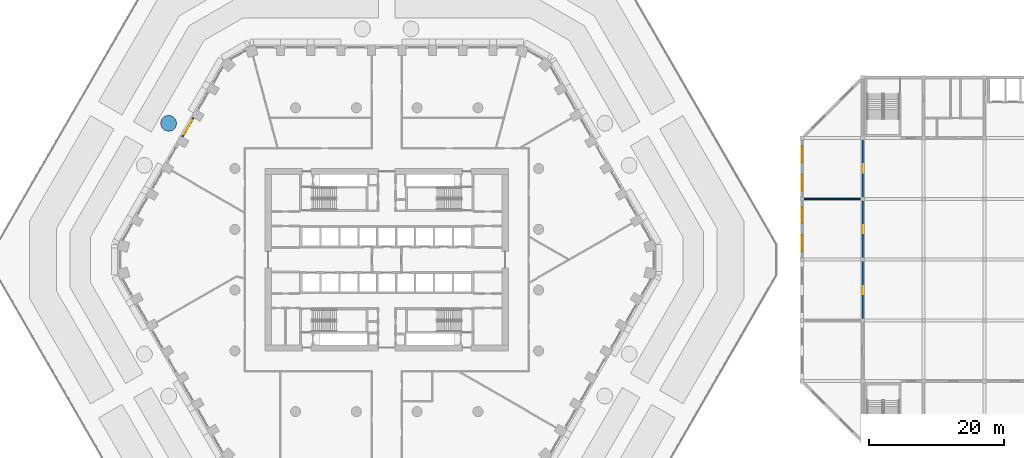
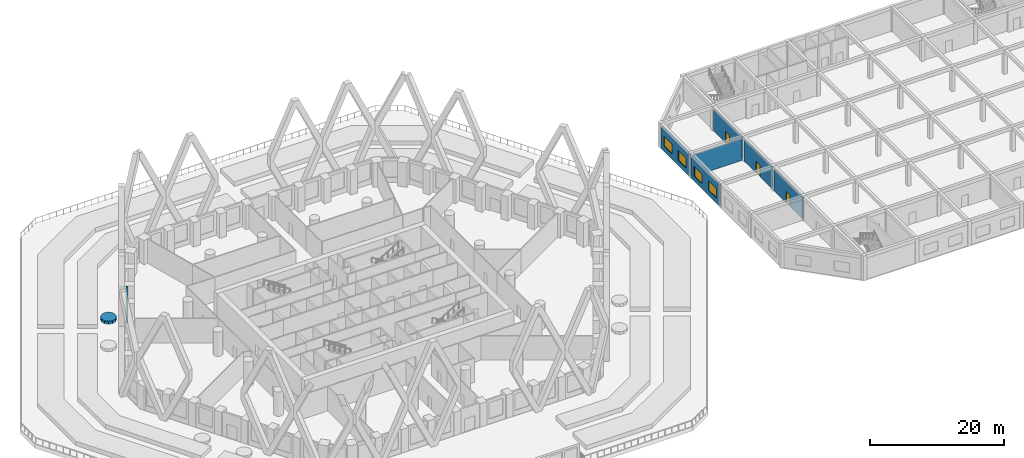
# One storey, part 11 of 27: 8 walls, 5 windows, 3 doors, 8 openings.
"""IFC4 building model written with IfcOpenShell, lengths in metres."""

from ifc_helpers import new_model, si_unit, direction, frame, frame_2d, origin, place, context, subcontext, project, spatial, polyline, rectangle, outline, extrude, material, layer, layer_set, type_object, element, fill, save


model = new_model("IFC4")

# Units and contexts
model_context = context("Model", 3, precision=1e-05, world=origin(), true_north=direction((0.0, 1.0)))
body_context = subcontext(model_context, "Body", "Model", "MODEL_VIEW")
ifc_project = project(units=[si_unit("LENGTHUNIT", "METRE"), si_unit("AREAUNIT", "SQUARE_METRE"), si_unit("VOLUMEUNIT", "CUBIC_METRE"), si_unit("PLANEANGLEUNIT", "RADIAN"), si_unit("MASSUNIT", "GRAM", prefix="KILO")], contexts=[model_context])

# Site, building, storey
site_placement = place(None, origin())
site = spatial("IfcSite", under=ifc_project, at=site_placement, CompositionType="ELEMENT")
building_placement = place(site_placement, origin())
building = spatial("IfcBuilding", under=site, at=building_placement, Name="Dhurran Vertical Campus", CompositionType="ELEMENT")
storey_placement = place(building_placement, frame((0.0, 0.0, 10.800048828125)))
storey = spatial("IfcBuildingStorey", under=building, at=storey_placement, Name="L02", CompositionType="ELEMENT", Elevation=10.800048828125)

# Wall, opening, window
ifc_material_1 = material(Name="Precast concrete C50/60", Category="concrete")
ifc_layer_1 = layer(ifc_material_1, 0.300048828125)
ifc_layer_set_1 = layer_set([ifc_layer_1], Name="Precast concrete C50/60")
wall_type_1 = type_object("IfcWallType", Name="Precast spandrel wall 300", PredefinedType="SOLIDWALL", material=ifc_layer_set_1)
wall_1_placement = place(storey_placement, frame((-28.644287109375, 21.04052734375, 0.0), z_axis=(0.0, 0.0, 1.0), x_axis=(-0.499991515992, -0.866030301974, 0.0)))
wall_1 = element("IfcWall", 1, at=wall_1_placement, inside=storey, type_object=wall_type_1, Name="EW1 L02.38", PredefinedType="SOLIDWALL", context=body_context, shape_type="SweptSolid", body=[
    extrude(rectangle(XDim=3.298828125, YDim=0.300048828125, at=frame_2d((1.6494140625, 0.0))), origin(), (0.0, 0.0, 1.0), 4.39990234375),
])
opening_1_placement = place(wall_1_placement, frame((0.449462890625, 0.0, 0.89990234375)))
opening_1 = element("IfcOpeningElement", 2, at=opening_1_placement, cuts=wall_1, Name="Opening WT2", PredefinedType="OPENING", context=body_context, shape_type="SweptSolid", body=[
    extrude(rectangle(XDim=2.39990234375, YDim=3.0, at=frame_2d((1.199951171875, 1.5))), frame((0.0, 0.159912109375, 0.0), z_axis=(0.0, -1.0, 0.0), x_axis=(1.0, 0.0, 0.0)), (0.0, 0.0, 1.0), 0.320068359375),
])
ifc_material_2 = material(Name="Aluminium frame with solar-control glass", Category="aluminium")
window_type_1 = type_object("IfcWindowType", Name="Podium window 2400 x 3000", PartitioningType="SINGLE_PANEL", PredefinedType="WINDOW", material=ifc_material_2)
window_1_placement = place(opening_1_placement, origin())
window_1 = element("IfcWindow", 3, at=window_1_placement, inside=storey, type_object=window_type_1, Name="WT2 L02.38", OverallHeight=3.0, OverallWidth=2.39990234375, PartitioningType="SINGLE_PANEL", PredefinedType="WINDOW", context=body_context, shape_type="SweptSolid", body=[
    extrude(rectangle(XDim=2.39990234375, YDim=3.0, at=frame_2d((1.199951171875, 1.5))), frame((0.0, 0.030029296875, 0.0), z_axis=(0.0, -1.0, 0.0), x_axis=(1.0, 0.0, 0.0)), (0.0, 0.0, 1.0), 0.06005859375),
])
fill(opening_1, window_1)

# Wall, openings, windows
ifc_material_3 = material(Name="Precast concrete C40/50", Category="concrete")
ifc_layer_2 = layer(ifc_material_3, 0.300048828125)
ifc_layer_set_2 = layer_set([ifc_layer_2], Name="Precast concrete C40/50")
wall_type_2 = type_object("IfcWallType", Name="hl-external wall precast 300", PredefinedType="SOLIDWALL", material=ifc_layer_set_2)
wall_2_placement = place(storey_placement, frame((61.5, 17.699951171875, 0.0), z_axis=(0.0, 0.0, 1.0), x_axis=(0.0, -1.0, 0.0)))
wall_2 = element("IfcWall", 4, at=wall_2_placement, inside=storey, type_object=wall_type_2, Name="Hall external wall L02-042", PredefinedType="SOLIDWALL", context=body_context, shape_type="SweptSolid", body=[
    extrude(rectangle(XDim=8.39990234375, YDim=0.300048828125, at=frame_2d((4.199951171875, 0.0))), origin(), (0.0, 0.0, 1.0), 3.89990234375),
])
opening_2_placement = place(wall_2_placement, frame((0.89990234375, 0.0, 0.89990234375)))
opening_2 = element("IfcOpeningElement", 5, at=opening_2_placement, cuts=wall_2, Name="Opening HWN1", PredefinedType="OPENING", context=body_context, shape_type="SweptSolid", body=[
    extrude(rectangle(XDim=2.39990234375, YDim=1.800048828125, at=frame_2d((1.199951171875, 0.89990234375))), frame((0.0, 0.159912109375, 0.0), z_axis=(0.0, -1.0, 0.0), x_axis=(1.0, 0.0, 0.0)), (0.0, 0.0, 1.0), 0.320068359375),
])
opening_3_placement = place(wall_2_placement, frame((5.10009765625, 0.0, 0.89990234375)))
opening_3 = element("IfcOpeningElement", 6, at=opening_3_placement, cuts=wall_2, Name="Opening HWN1", PredefinedType="OPENING", context=body_context, shape_type="SweptSolid", body=[
    extrude(rectangle(XDim=2.39990234375, YDim=1.800048828125, at=frame_2d((1.199951171875, 0.89990234375))), frame((0.0, 0.159912109375, 0.0), z_axis=(0.0, -1.0, 0.0), x_axis=(1.0, 0.0, 0.0)), (0.0, 0.0, 1.0), 0.320068359375),
])
ifc_material_4 = material(Name="Aluminium", Category="aluminium")
window_type_2 = type_object("IfcWindowType", Name="hl-window 2400x1800", PartitioningType="SINGLE_PANEL", PredefinedType="WINDOW", material=ifc_material_4)
window_2_placement = place(opening_2_placement, origin())
window_2 = element("IfcWindow", 7, at=window_2_placement, inside=storey, type_object=window_type_2, Name="Hall window L02-057", OverallHeight=1.800048828125, OverallWidth=2.39990234375, PartitioningType="SINGLE_PANEL", PredefinedType="WINDOW", context=body_context, shape_type="SweptSolid", body=[
    extrude(rectangle(XDim=2.39990234375, YDim=1.800048828125, at=frame_2d((1.199951171875, 0.89990234375))), frame((0.0, 0.030029296875, 0.0), z_axis=(0.0, -1.0, 0.0), x_axis=(1.0, 0.0, 0.0)), (0.0, 0.0, 1.0), 0.06005859375),
])
fill(opening_2, window_2)
window_3_placement = place(opening_3_placement, origin())
window_3 = element("IfcWindow", 8, at=window_3_placement, inside=storey, type_object=window_type_2, Name="Hall window L02-058", OverallHeight=1.800048828125, OverallWidth=2.39990234375, PartitioningType="SINGLE_PANEL", PredefinedType="WINDOW", context=body_context, shape_type="SweptSolid", body=[
    extrude(rectangle(XDim=2.39990234375, YDim=1.800048828125, at=frame_2d((1.199951171875, 0.89990234375))), frame((0.0, 0.030029296875, 0.0), z_axis=(0.0, -1.0, 0.0), x_axis=(1.0, 0.0, 0.0)), (0.0, 0.0, 1.0), 0.06005859375),
])
fill(opening_3, window_3)

wall_3_placement = place(storey_placement, frame((61.5, 8.699951171875, 0.0), z_axis=(0.0, 0.0, 1.0), x_axis=(0.0, -1.0, 0.0)))
wall_3 = element("IfcWall", 9, at=wall_3_placement, inside=storey, type_object=wall_type_2, Name="Hall external wall L02-044", PredefinedType="SOLIDWALL", context=body_context, shape_type="SweptSolid", body=[
    extrude(rectangle(XDim=8.39990234375, YDim=0.300048828125, at=frame_2d((4.199951171875, 0.0))), origin(), (0.0, 0.0, 1.0), 3.89990234375),
])
opening_4_placement = place(wall_3_placement, frame((0.89990234375, 0.0, 0.89990234375)))
opening_4 = element("IfcOpeningElement", 10, at=opening_4_placement, cuts=wall_3, Name="Opening HWN1", PredefinedType="OPENING", context=body_context, shape_type="SweptSolid", body=[
    extrude(rectangle(XDim=2.39990234375, YDim=1.800048828125, at=frame_2d((1.199951171875, 0.89990234375))), frame((0.0, 0.159912109375, 0.0), z_axis=(0.0, -1.0, 0.0), x_axis=(1.0, 0.0, 0.0)), (0.0, 0.0, 1.0), 0.320068359375),
])
opening_5_placement = place(wall_3_placement, frame((5.10009765625, 0.0, 0.89990234375)))
opening_5 = element("IfcOpeningElement", 11, at=opening_5_placement, cuts=wall_3, Name="Opening HWN1", PredefinedType="OPENING", context=body_context, shape_type="SweptSolid", body=[
    extrude(rectangle(XDim=2.39990234375, YDim=1.800048828125, at=frame_2d((1.199951171875, 0.89990234375))), frame((0.0, 0.159912109375, 0.0), z_axis=(0.0, -1.0, 0.0), x_axis=(1.0, 0.0, 0.0)), (0.0, 0.0, 1.0), 0.320068359375),
])
window_4_placement = place(opening_4_placement, origin())
window_4 = element("IfcWindow", 12, at=window_4_placement, inside=storey, type_object=window_type_2, Name="Hall window L02-059", OverallHeight=1.800048828125, OverallWidth=2.39990234375, PartitioningType="SINGLE_PANEL", PredefinedType="WINDOW", context=body_context, shape_type="SweptSolid", body=[
    extrude(rectangle(XDim=2.39990234375, YDim=1.800048828125, at=frame_2d((1.199951171875, 0.89990234375))), frame((0.0, 0.030029296875, 0.0), z_axis=(0.0, -1.0, 0.0), x_axis=(1.0, 0.0, 0.0)), (0.0, 0.0, 1.0), 0.06005859375),
])
fill(opening_4, window_4)
window_5_placement = place(opening_5_placement, origin())
window_5 = element("IfcWindow", 13, at=window_5_placement, inside=storey, type_object=window_type_2, Name="Hall window L02-060", OverallHeight=1.800048828125, OverallWidth=2.39990234375, PartitioningType="SINGLE_PANEL", PredefinedType="WINDOW", context=body_context, shape_type="SweptSolid", body=[
    extrude(rectangle(XDim=2.39990234375, YDim=1.800048828125, at=frame_2d((1.199951171875, 0.89990234375))), frame((0.0, 0.030029296875, 0.0), z_axis=(0.0, -1.0, 0.0), x_axis=(1.0, 0.0, 0.0)), (0.0, 0.0, 1.0), 0.06005859375),
])
fill(opening_5, window_5)

# Wall
ifc_material_5 = material(Name="Masonry blockwork", Category="masonry")
ifc_layer_3 = layer(ifc_material_5, 0.199951171875)
ifc_layer_set_3 = layer_set([ifc_layer_3], Name="Masonry blockwork")
wall_type_3 = type_object("IfcWallType", Name="hl-partition blockwork 200 EI 60", PredefinedType="PARTITIONING", material=ifc_layer_set_3)
wall_4_placement = place(storey_placement, frame((61.800048828125, 9.0, 0.0), z_axis=(0.0, 0.0, 1.0), x_axis=(1.0, 0.0, 0.0)))
element("IfcWall", 14, at=wall_4_placement, inside=storey, type_object=wall_type_3, Name="Hall partition L02-002", PredefinedType="PARTITIONING", context=body_context, shape_type="SweptSolid", body=[
    extrude(rectangle(XDim=8.39990234375, YDim=0.199951171875, at=frame_2d((4.199951171875, 0.0))), origin(), (0.0, 0.0, 1.0), 3.89990234375),
])

# Wall, opening, door
wall_5_placement = place(storey_placement, frame((70.5, -8.699951171875, 0.0), z_axis=(0.0, 0.0, 1.0), x_axis=(0.0, 1.0, 0.0)))
wall_5 = element("IfcWall", 15, at=wall_5_placement, inside=storey, type_object=wall_type_3, Name="Hall partition L02-005", PredefinedType="PARTITIONING", context=body_context, shape_type="SweptSolid", body=[
    extrude(rectangle(XDim=8.39990234375, YDim=0.199951171875, at=frame_2d((4.199951171875, 0.0))), origin(), (0.0, 0.0, 1.0), 3.89990234375),
])
opening_6_placement = place(wall_5_placement, frame((3.60009765625, 0.0, 0.0)))
opening_6 = element("IfcOpeningElement", 16, at=opening_6_placement, cuts=wall_5, Name="Opening HD210", PredefinedType="OPENING", context=body_context, shape_type="SweptSolid", body=[
    extrude(rectangle(XDim=1.199951171875, YDim=2.10009765625, at=frame_2d((0.60009765625, 1.050048828125))), frame((0.0, 0.10986328125, 0.0), z_axis=(0.0, -1.0, 0.0), x_axis=(1.0, 0.0, 0.0)), (0.0, 0.0, 1.0), 0.219970703125),
])
ifc_material_6 = material(Name="Fire-rated steel door set", Category="steel")
door_type = type_object("IfcDoorType", Name="hl-door 1200x2100 single FD30S", OperationType="NOTDEFINED", PredefinedType="DOOR", material=ifc_material_6)
door_1_placement = place(opening_6_placement, origin())
door_1 = element("IfcDoor", 17, at=door_1_placement, inside=storey, type_object=door_type, Name="Door HD210", OperationType="SINGLE_SWING_RIGHT", OverallHeight=2.10009765625, OverallWidth=1.199951171875, PredefinedType="DOOR", context=body_context, shape_type="SweptSolid", body=[
    extrude(rectangle(XDim=1.199951171875, YDim=2.10009765625, at=frame_2d((0.60009765625, 1.050048828125))), frame((0.0, 0.02490234375, 0.0), z_axis=(0.0, -1.0, 0.0), x_axis=(1.0, 0.0, 0.0)), (0.0, 0.0, 1.0), 0.050048828125),
])
fill(opening_6, door_1)

wall_6_placement = place(storey_placement, frame((70.5, 0.300048828125, 0.0), z_axis=(0.0, 0.0, 1.0), x_axis=(0.0, 1.0, 0.0)))
wall_6 = element("IfcWall", 18, at=wall_6_placement, inside=storey, type_object=wall_type_3, Name="Hall partition L02-006", PredefinedType="PARTITIONING", context=body_context, shape_type="SweptSolid", body=[
    extrude(rectangle(XDim=8.39990234375, YDim=0.199951171875, at=frame_2d((4.199951171875, 0.0))), origin(), (0.0, 0.0, 1.0), 3.89990234375),
])
opening_7_placement = place(wall_6_placement, frame((3.60009765625, 0.0, 0.0)))
opening_7 = element("IfcOpeningElement", 19, at=opening_7_placement, cuts=wall_6, Name="Opening HD211", PredefinedType="OPENING", context=body_context, shape_type="SweptSolid", body=[
    extrude(rectangle(XDim=1.199951171875, YDim=2.10009765625, at=frame_2d((0.60009765625, 1.050048828125))), frame((0.0, 0.10986328125, 0.0), z_axis=(0.0, -1.0, 0.0), x_axis=(1.0, 0.0, 0.0)), (0.0, 0.0, 1.0), 0.219970703125),
])
door_2_placement = place(opening_7_placement, origin())
door_2 = element("IfcDoor", 20, at=door_2_placement, inside=storey, type_object=door_type, Name="Door HD211", OperationType="SINGLE_SWING_LEFT", OverallHeight=2.10009765625, OverallWidth=1.199951171875, PredefinedType="DOOR", context=body_context, shape_type="SweptSolid", body=[
    extrude(rectangle(XDim=1.199951171875, YDim=2.10009765625, at=frame_2d((0.60009765625, 1.050048828125))), frame((0.0, 0.02490234375, 0.0), z_axis=(0.0, -1.0, 0.0), x_axis=(1.0, 0.0, 0.0)), (0.0, 0.0, 1.0), 0.050048828125),
])
fill(opening_7, door_2)

wall_7_placement = place(storey_placement, frame((70.5, 9.300048828125, 0.0), z_axis=(0.0, 0.0, 1.0), x_axis=(0.0, 1.0, 0.0)))
wall_7 = element("IfcWall", 21, at=wall_7_placement, inside=storey, type_object=wall_type_3, Name="Hall partition L02-007", PredefinedType="PARTITIONING", context=body_context, shape_type="SweptSolid", body=[
    extrude(rectangle(XDim=8.39990234375, YDim=0.199951171875, at=frame_2d((4.199951171875, 0.0))), origin(), (0.0, 0.0, 1.0), 3.89990234375),
])
opening_8_placement = place(wall_7_placement, frame((3.60009765625, 0.0, 0.0)))
opening_8 = element("IfcOpeningElement", 22, at=opening_8_placement, cuts=wall_7, Name="Opening HD212", PredefinedType="OPENING", context=body_context, shape_type="SweptSolid", body=[
    extrude(rectangle(XDim=1.199951171875, YDim=2.10009765625, at=frame_2d((0.60009765625, 1.050048828125))), frame((0.0, 0.10986328125, 0.0), z_axis=(0.0, -1.0, 0.0), x_axis=(1.0, 0.0, 0.0)), (0.0, 0.0, 1.0), 0.219970703125),
])
door_3_placement = place(opening_8_placement, origin())
door_3 = element("IfcDoor", 23, at=door_3_placement, inside=storey, type_object=door_type, Name="Door HD212", OperationType="SINGLE_SWING_RIGHT", OverallHeight=2.10009765625, OverallWidth=1.199951171875, PredefinedType="DOOR", context=body_context, shape_type="SweptSolid", body=[
    extrude(rectangle(XDim=1.199951171875, YDim=2.10009765625, at=frame_2d((0.60009765625, 1.050048828125))), frame((0.0, 0.02490234375, 0.0), z_axis=(0.0, -1.0, 0.0), x_axis=(1.0, 0.0, 0.0)), (0.0, 0.0, 1.0), 0.050048828125),
])
fill(opening_8, door_3)

# Wall
ifc_material_7 = material(Name="Concrete C35/45", Category="concrete")
ifc_layer_4 = layer(ifc_material_7, 2.39990234375)
ifc_layer_set_4 = layer_set([ifc_layer_4], Name="Concrete C35/45")
wall_type_4 = type_object("IfcWallType", Name="st-tree pit 600", PredefinedType="SOLIDWALL", material=ifc_layer_set_4)
wall_8_placement = place(storey_placement, origin())
element("IfcWall", 24, at=wall_8_placement, inside=storey, type_object=wall_type_4, Name="Tree pit 07", PredefinedType="SOLIDWALL", context=body_context, shape_type="SweptSolid", body=[
    extrude(outline(polyline([(-31.1005859375, 20.20751953125), (-31.26123046875, 19.607666015625), (-31.70068359375, 19.16845703125), (-32.300537109375, 19.007568359375), (-32.900634765625, 19.16845703125), (-33.33984375, 19.607666015625), (-33.50048828125, 20.20751953125), (-33.33984375, 20.8076171875), (-32.900634765625, 21.246826171875), (-32.300537109375, 21.40771484375), (-31.70068359375, 21.246826171875), (-31.26123046875, 20.8076171875), (-31.1005859375, 20.20751953125)])), origin(), (0.0, 0.0, 1.0), 0.599853515625),
])

save(model, "model.ifc")
